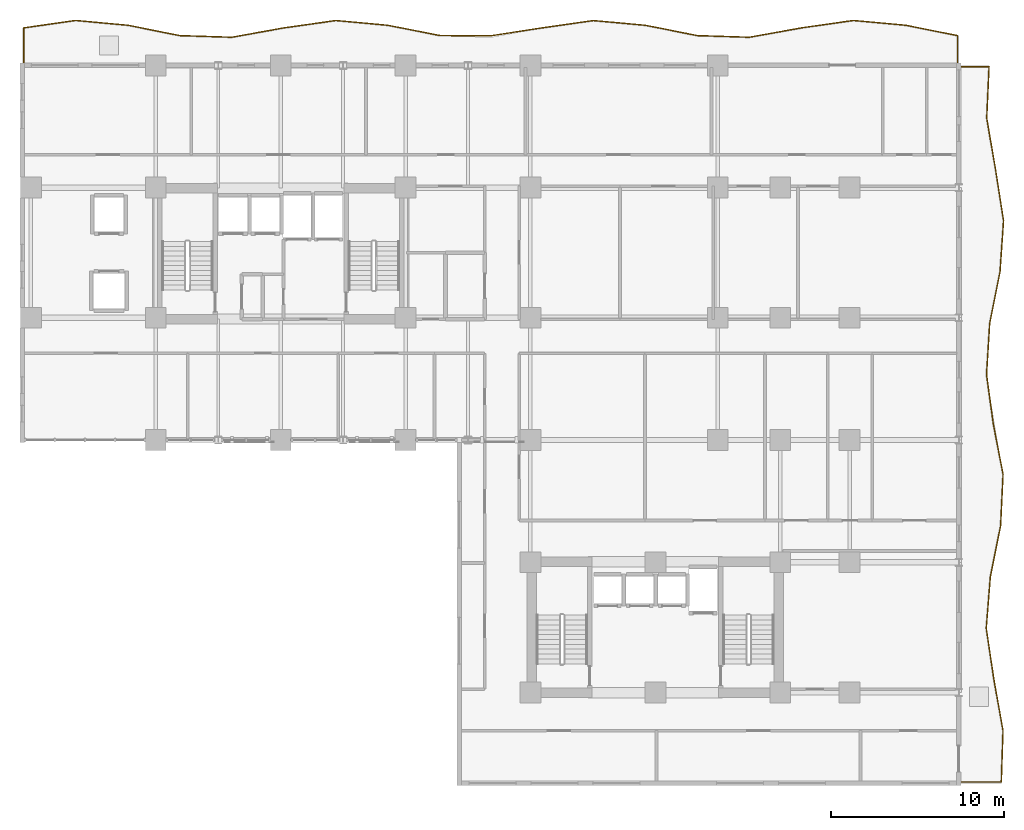
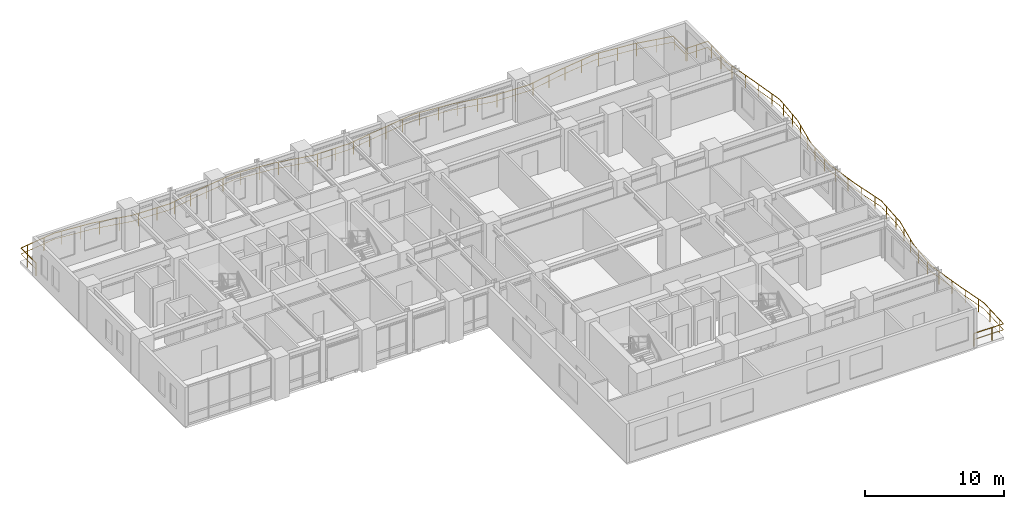
# One storey, part 16 of 16: 2 railings.
"""IFC4 building model written with IfcOpenShell, lengths in metres."""

import ifcopenshell
import ifcopenshell.guid

model = None  # the IFC model being written
_history = None  # IfcOwnerHistory: only IFC2X3 demands one
_inside = {}  # id of a spatial element -> (the spatial element, [elements in it])
_under = {}  # id of a project, library or spatial element -> (it, [spatial elements below it])
_declared = {}  # id of a project -> (the project, [libraries it declares])
_typed = {}  # id of a type object -> (the type object, [elements of that type])
_made_of = {}  # id of a material, layer set ... -> (it, [elements and type objects made of it])


def new_model(schema):
    """Start an empty IFC model of exactly this schema.

    Asked for "IFC4X3", IfcOpenShell would pick the latest addendum, in which some entities
    have other attributes; the version numbers below select the first issue.
    IFC2X3 requires an IfcOwnerHistory on every rooted entity: one is made here for all.
    """
    global model, _history
    if schema == "IFC4X3":
        model = ifcopenshell.file(schema_version=(4, 3, 0, 0))
    else:
        model = ifcopenshell.file(schema=schema)
    _inside.clear()
    _under.clear()
    _declared.clear()
    _typed.clear()
    _made_of.clear()
    _history = None
    if model.schema == "IFC2X3":
        org = make("IfcOrganization", Name="unknown")
        user = make(
            "IfcPersonAndOrganization",
            ThePerson=make("IfcPerson", FamilyName="unknown"),
            TheOrganization=org,
        )
        app = make(
            "IfcApplication",
            ApplicationDeveloper=org,
            Version="unknown",
            ApplicationFullName="unknown",
            ApplicationIdentifier="unknown",
        )
        _history = make(
            "IfcOwnerHistory",
            OwningUser=user,
            OwningApplication=app,
            ChangeAction="ADDED",
            CreationDate=0,
        )
    return model


def make(cls, **values):
    """One entity of the class cls with the attributes given. An attribute that is None is left unset."""
    return model.create_entity(
        cls, **{name: value for name, value in values.items() if value is not None}
    )


def rooted(cls, **values):
    """An entity with a GlobalId (a new one), such as an element, a storey or a relation."""
    return make(cls, GlobalId=ifcopenshell.guid.new(), OwnerHistory=_history, **values)


def si_unit(unit_type, name, prefix=None):
    """IfcSIUnit, for example si_unit("LENGTHUNIT", "METRE", prefix="MILLI")."""
    return make("IfcSIUnit", UnitType=unit_type, Prefix=prefix, Name=name)


def assignment(units):
    """IfcUnitAssignment: the units of a project."""
    return None if units is None else make("IfcUnitAssignment", Units=units)


def point(xyz):
    """IfcCartesianPoint."""
    return None if xyz is None else make("IfcCartesianPoint", Coordinates=xyz)


def direction(xyz):
    """IfcDirection."""
    return None if xyz is None else make("IfcDirection", DirectionRatios=xyz)


def frame(location, z_axis=None, x_axis=None):
    """IfcAxis2Placement3D, a coordinate frame: its origin and axes. An axis left out is left unset."""
    return make(
        "IfcAxis2Placement3D",
        Location=point(location),
        Axis=direction(z_axis),
        RefDirection=direction(x_axis),
    )


def frame_2d(location, x_axis=None):
    """IfcAxis2Placement2D, a coordinate frame in the plane: its origin and x axis."""
    return make(
        "IfcAxis2Placement2D", Location=point(location), RefDirection=direction(x_axis)
    )


def origin():
    """The frame at (0, 0, 0) with its axes left unset."""
    return frame((0.0, 0.0, 0.0))


def origin_2d():
    """The frame at (0, 0) in the plane with its x axis left unset."""
    return frame_2d((0.0, 0.0))


def place(relative_to, where):
    """IfcLocalPlacement: puts the frame where relative to a parent placement (None: the world)."""
    return make(
        "IfcLocalPlacement", PlacementRelTo=relative_to, RelativePlacement=where
    )


def context(
    kind, dimensions, precision=None, world=None, true_north=None, identifier=None
):
    """IfcGeometricRepresentationContext, for example the 3D "Model" context."""
    return make(
        "IfcGeometricRepresentationContext",
        ContextIdentifier=identifier,
        ContextType=kind,
        CoordinateSpaceDimension=dimensions,
        Precision=precision,
        WorldCoordinateSystem=world,
        TrueNorth=true_north,
    )


def subcontext(parent, identifier, kind, view, scale=None):
    """IfcGeometricRepresentationSubContext, for example "Body" below "Model"."""
    return make(
        "IfcGeometricRepresentationSubContext",
        ContextIdentifier=identifier,
        ContextType=kind,
        ParentContext=parent,
        TargetScale=scale,
        TargetView=view,
    )


def project(units=None, contexts=None):
    """IfcProject with its units and contexts."""
    return rooted(
        "IfcProject",
        Name="project",
        RepresentationContexts=contexts,
        UnitsInContext=assignment(units),
    )


def spatial(cls, under=None, at=None, **own):
    """A site, building, storey or space (cls), placed at a placement, below another one or the project."""
    s = rooted(cls, ObjectPlacement=at, **own)
    if under is not None:
        _under.setdefault(under.id(), (under, []))[1].append(s)
    return s


def profile(cls, at=None, kind="AREA", **sizes):
    """A parametric profile (cls). Its sizes go by their IFC names, for example OverallWidth=200.0."""
    return make(cls, ProfileType=kind, Position=at, **sizes)


def rectangle(**sizes):
    """IfcRectangleProfileDef."""
    return profile("IfcRectangleProfileDef", **sizes)


def extrude(swept, where, along, depth):
    """IfcExtrudedAreaSolid: the profile swept, set in the frame where, extruded along a direction by depth."""
    return make(
        "IfcExtrudedAreaSolid",
        SweptArea=swept,
        Position=where,
        ExtrudedDirection=direction(along),
        Depth=depth,
    )


def shape(context_of_items, identifier, shape_type, items):
    """IfcShapeRepresentation: the items that make up one representation, for example the "Body"."""
    return make(
        "IfcShapeRepresentation",
        ContextOfItems=context_of_items,
        RepresentationIdentifier=identifier,
        RepresentationType=shape_type,
        Items=items,
    )


def material(Name=None, Category=None):
    """IfcMaterial."""
    return make("IfcMaterial", Name=Name, Category=Category)


def made_of(thing, what):
    """Note that an element or type object is made of a material, layer set ...; save() writes the relation."""
    if what is not None:
        _made_of.setdefault(what.id(), (what, []))[1].append(thing)
    return thing


def type_object(cls, material=None, **own):
    """A type object (cls), such as IfcWallType, which elements share."""
    return made_of(rooted(cls, **own), material)


def element(
    cls,
    number,
    at=None,
    inside=None,
    cuts=None,
    type_object=None,
    material=None,
    context=None,
    identifier="Body",
    shape_type=None,
    held_by="IfcProductDefinitionShape",
    body=None,
    shapes=None,
    **own,
):
    """One element of the class cls, such as IfcWall. Its Tag is "e" and its number.

    at: its placement. inside: the storey or other place that contains it. cuts: it is an
    opening in that element (IfcRelVoidsElement). A single representation is given by context,
    identifier, shape_type and body (its items); several are given by shapes. held_by: the class
    of the entity that holds the representations. save() writes the other relations.
    """
    e = rooted(cls, Tag="e%d" % number, ObjectPlacement=at, **own)
    if body is not None:
        shapes = [shape(context, identifier, shape_type, body)]
    if shapes is not None:
        e.Representation = make(held_by, Representations=shapes)
    if inside is not None:
        _inside.setdefault(inside.id(), (inside, []))[1].append(e)
    if cuts is not None:
        rooted(
            "IfcRelVoidsElement", RelatingBuildingElement=cuts, RelatedOpeningElement=e
        )
    if type_object is not None:
        _typed.setdefault(type_object.id(), (type_object, []))[1].append(e)
    return made_of(e, material)


def aggregate(whole, parts):
    """IfcRelAggregates: a whole, such as a stair, and the parts it consists of."""
    return rooted("IfcRelAggregates", RelatingObject=whole, RelatedObjects=parts)


def save(model, path):
    """Write the relations noted so far, then the file.

    IfcRelAggregates (storeys below a building ...), IfcRelContainedInSpatialStructure (elements
    in a storey), IfcRelDefinesByType, IfcRelAssociatesMaterial and IfcRelDeclares: one each for
    every whole, place, type object, material and project.
    """
    for whole, parts in _under.values():
        aggregate(whole, parts)
    for where, things in _inside.values():
        rooted(
            "IfcRelContainedInSpatialStructure",
            RelatedElements=things,
            RelatingStructure=where,
        )
    for kind, things in _typed.values():
        rooted("IfcRelDefinesByType", RelatedObjects=things, RelatingType=kind)
    for what, things in _made_of.values():
        rooted("IfcRelAssociatesMaterial", RelatedObjects=things, RelatingMaterial=what)
    for by, libraries in _declared.values():
        rooted("IfcRelDeclares", RelatingContext=by, RelatedDefinitions=libraries)
    model.write(path)


model = new_model("IFC4")

# Units and contexts
model_context = context("Model", 3, precision=1e-05, world=origin(), true_north=direction((0.0, 1.0)))
body_context = subcontext(model_context, "Body", "Model", "MODEL_VIEW")
ifc_project = project(units=[si_unit("LENGTHUNIT", "METRE"), si_unit("AREAUNIT", "SQUARE_METRE"), si_unit("VOLUMEUNIT", "CUBIC_METRE"), si_unit("PLANEANGLEUNIT", "RADIAN"), si_unit("MASSUNIT", "GRAM", prefix="KILO")], contexts=[model_context])

# Site, building, storey
site_placement = place(None, origin())
site = spatial("IfcSite", under=ifc_project, at=site_placement, CompositionType="ELEMENT")
building_placement = place(site_placement, origin())
building = spatial("IfcBuilding", under=site, at=building_placement, Name="Kaliganga Portal Commons", CompositionType="ELEMENT")
storey_placement = place(building_placement, frame((0.0, 0.0, 82.300048828125)))
storey = spatial("IfcBuildingStorey", under=building, at=storey_placement, Name="L20", CompositionType="ELEMENT", Elevation=82.300048828125)

# Railings
ifc_material = material(Name="Laminated Safety Glass and Stainless Steel 316", Category="steel")
railing_type = type_object("IfcRailingType", Name="RLG-BAL-1150", PredefinedType="BALUSTRADE", material=ifc_material)
railing_1_placement = place(storey_placement, frame((60.6201171875, 43.20556640625, 0.0)))
element("IfcRailing", 1, at=railing_1_placement, inside=storey, type_object=railing_type, Name="Balcony Guardrail L20 balc_north", PredefinedType="BALUSTRADE", context=body_context, shape_type="SweptSolid", body=[
    extrude(rectangle(XDim=0.048095703125, YDim=0.048095703125, at=origin_2d()), frame((0.0, 0.0, 1.1259765625), z_axis=(0.0, 1.0, 0.0), x_axis=(-1.0, 0.0, 0.0)), (0.0, 0.0, 1.0), 1.71142578125),
    extrude(rectangle(XDim=0.028076171875, YDim=0.028076171875, at=origin_2d()), frame((0.0, 0.0, 0.597900390625), z_axis=(0.0, 1.0, 0.0), x_axis=(-1.0, 0.0, 0.0)), (0.0, 0.0, 1.0), 1.71142578125),
    extrude(rectangle(XDim=0.048095703125, YDim=0.048095703125, at=origin_2d()), frame((0.0, 1.71142578125, 1.1259765625), z_axis=(-0.980635885947, 0.19583988152, 0.0), x_axis=(-0.19583988152, -0.980635885947, 0.0)), (0.0, 0.0, 1.0), 3.059326171875),
    extrude(rectangle(XDim=0.028076171875, YDim=0.028076171875, at=origin_2d()), frame((0.0, 1.71142578125, 0.597900390625), z_axis=(-0.980635885947, 0.19583988152, 0.0), x_axis=(-0.19583988152, -0.980635885947, 0.0)), (0.0, 0.0, 1.0), 3.059326171875),
    extrude(rectangle(XDim=0.048095703125, YDim=0.048095703125, at=origin_2d()), frame((-3.0, 2.310546875, 1.1259765625), z_axis=(-0.995827850775, 0.091251803383, 0.0), x_axis=(-0.091251803383, -0.995827850775, 0.0)), (0.0, 0.0, 1.0), 3.012451171875),
    extrude(rectangle(XDim=0.028076171875, YDim=0.028076171875, at=origin_2d()), frame((-3.0, 2.310546875, 0.597900390625), z_axis=(-0.995827850775, 0.091251803383, 0.0), x_axis=(-0.091251803383, -0.995827850775, 0.0)), (0.0, 0.0, 1.0), 3.012451171875),
    extrude(rectangle(XDim=0.048095703125, YDim=0.048095703125, at=origin_2d()), frame((-6.0, 2.58544921875, 1.1259765625), z_axis=(-0.989943047691, -0.141466470682, 0.0), x_axis=(0.141466470682, -0.989943047691, 0.0)), (0.0, 0.0, 1.0), 3.030517578125),
    extrude(rectangle(XDim=0.028076171875, YDim=0.028076171875, at=origin_2d()), frame((-6.0, 2.58544921875, 0.597900390625), z_axis=(-0.989943047691, -0.141466470682, 0.0), x_axis=(0.141466470682, -0.989943047691, 0.0)), (0.0, 0.0, 1.0), 3.030517578125),
    extrude(rectangle(XDim=0.048095703125, YDim=0.048095703125, at=origin_2d()), frame((-9.0, 2.15673828125, 1.1259765625), z_axis=(-0.984195051972, -0.177087830396, 0.0), x_axis=(0.177087830396, -0.984195051972, 0.0)), (0.0, 0.0, 1.0), 3.048095703125),
    extrude(rectangle(XDim=0.028076171875, YDim=0.028076171875, at=origin_2d()), frame((-9.0, 2.15673828125, 0.597900390625), z_axis=(-0.984195051972, -0.177087830396, 0.0), x_axis=(0.177087830396, -0.984195051972, 0.0)), (0.0, 0.0, 1.0), 3.048095703125),
    extrude(rectangle(XDim=0.048095703125, YDim=0.048095703125, at=origin_2d()), frame((-12.0, 1.616943359375, 1.1259765625), z_axis=(-0.999499296615, 0.031641050324, 0.0), x_axis=(-0.031641050324, -0.999499296615, 0.0)), (0.0, 0.0, 1.0), 3.00146484375),
    extrude(rectangle(XDim=0.028076171875, YDim=0.028076171875, at=origin_2d()), frame((-12.0, 1.616943359375, 0.597900390625), z_axis=(-0.999499296615, 0.031641050324, 0.0), x_axis=(-0.031641050324, -0.999499296615, 0.0)), (0.0, 0.0, 1.0), 3.00146484375),
    extrude(rectangle(XDim=0.048095703125, YDim=0.048095703125, at=origin_2d()), frame((-15.0, 1.7119140625, 1.1259765625), z_axis=(-0.980819402607, 0.194918699639, 0.0), x_axis=(-0.194918699639, -0.980819402607, 0.0)), (0.0, 0.0, 1.0), 3.05859375),
    extrude(rectangle(XDim=0.028076171875, YDim=0.028076171875, at=origin_2d()), frame((-15.0, 1.7119140625, 0.597900390625), z_axis=(-0.980819402607, 0.194918699639, 0.0), x_axis=(-0.194918699639, -0.980819402607, 0.0)), (0.0, 0.0, 1.0), 3.05859375),
    extrude(rectangle(XDim=0.048095703125, YDim=0.048095703125, at=origin_2d()), frame((-18.0, 2.30810546875, 1.1259765625), z_axis=(-0.995950811306, 0.089899841261, 0.0), x_axis=(-0.089899841261, -0.995950811306, 0.0)), (0.0, 0.0, 1.0), 3.01171875),
    extrude(rectangle(XDim=0.028076171875, YDim=0.028076171875, at=origin_2d()), frame((-18.0, 2.30810546875, 0.597900390625), z_axis=(-0.995950811306, 0.089899841261, 0.0), x_axis=(-0.089899841261, -0.995950811306, 0.0)), (0.0, 0.0, 1.0), 3.01171875),
    extrude(rectangle(XDim=0.048095703125, YDim=0.048095703125, at=origin_2d()), frame((-20.99951171875, 2.578857421875, 1.1259765625), z_axis=(-0.989978473762, -0.141218346855, 0.0), x_axis=(0.141218346855, -0.989978473762, 0.0)), (0.0, 0.0, 1.0), 3.030517578125),
    extrude(rectangle(XDim=0.028076171875, YDim=0.028076171875, at=origin_2d()), frame((-20.99951171875, 2.578857421875, 0.597900390625), z_axis=(-0.989978473762, -0.141218346855, 0.0), x_axis=(0.141218346855, -0.989978473762, 0.0)), (0.0, 0.0, 1.0), 3.030517578125),
    extrude(rectangle(XDim=0.048095703125, YDim=0.048095703125, at=origin_2d()), frame((-23.999755859375, 2.15087890625, 1.1259765625), z_axis=(-0.98806316163, -0.154049305839, 0.0), x_axis=(0.154049305839, -0.98806316163, 0.0)), (0.0, 0.0, 1.0), 2.955810546875),
    extrude(rectangle(XDim=0.028076171875, YDim=0.028076171875, at=origin_2d()), frame((-23.999755859375, 2.15087890625, 0.597900390625), z_axis=(-0.98806316163, -0.154049305839, 0.0), x_axis=(0.154049305839, -0.98806316163, 0.0)), (0.0, 0.0, 1.0), 2.955810546875),
    extrude(rectangle(XDim=0.048095703125, YDim=0.048095703125, at=origin_2d()), frame((-26.920166015625, 1.695556640625, 1.1259765625), z_axis=(-0.999975924488, 0.006939052064, 0.0), x_axis=(-0.006939052064, -0.999975924488, 0.0)), (0.0, 0.0, 1.0), 2.920166015625),
    extrude(rectangle(XDim=0.028076171875, YDim=0.028076171875, at=origin_2d()), frame((-26.920166015625, 1.695556640625, 0.597900390625), z_axis=(-0.999975924488, 0.006939052064, 0.0), x_axis=(-0.006939052064, -0.999975924488, 0.0)), (0.0, 0.0, 1.0), 2.920166015625),
    extrude(rectangle(XDim=0.048095703125, YDim=0.048095703125, at=origin_2d()), frame((-29.84033203125, 1.7158203125, 1.1259765625), z_axis=(-0.981168913159, 0.193151660232, 0.0), x_axis=(-0.193151660232, -0.981168913159, 0.0)), (0.0, 0.0, 1.0), 3.0576171875),
    extrude(rectangle(XDim=0.028076171875, YDim=0.028076171875, at=origin_2d()), frame((-29.84033203125, 1.7158203125, 0.597900390625), z_axis=(-0.981168913159, 0.193151660232, 0.0), x_axis=(-0.193151660232, -0.981168913159, 0.0)), (0.0, 0.0, 1.0), 3.0576171875),
    extrude(rectangle(XDim=0.048095703125, YDim=0.048095703125, at=origin_2d()), frame((-32.84033203125, 2.306396484375, 1.1259765625), z_axis=(-0.995805729318, 0.091492892936, 0.0), x_axis=(-0.091492892936, -0.995805729318, 0.0)), (0.0, 0.0, 1.0), 3.0126953125),
    extrude(rectangle(XDim=0.028076171875, YDim=0.028076171875, at=origin_2d()), frame((-32.84033203125, 2.306396484375, 0.597900390625), z_axis=(-0.995805729318, 0.091492892936, 0.0), x_axis=(-0.091492892936, -0.995805729318, 0.0)), (0.0, 0.0, 1.0), 3.0126953125),
    extrude(rectangle(XDim=0.048095703125, YDim=0.048095703125, at=origin_2d()), frame((-35.84033203125, 2.58203125, 1.1259765625), z_axis=(-0.990065193162, -0.140609079683, 0.0), x_axis=(0.140609079683, -0.990065193162, 0.0)), (0.0, 0.0, 1.0), 3.02978515625),
    extrude(rectangle(XDim=0.028076171875, YDim=0.028076171875, at=origin_2d()), frame((-35.84033203125, 2.58203125, 0.597900390625), z_axis=(-0.990065193162, -0.140609079683, 0.0), x_axis=(0.140609079683, -0.990065193162, 0.0)), (0.0, 0.0, 1.0), 3.02978515625),
    extrude(rectangle(XDim=0.048095703125, YDim=0.048095703125, at=origin_2d()), frame((-38.840087890625, 2.156005859375, 1.1259765625), z_axis=(-0.98423690473, -0.176855068819, 0.0), x_axis=(0.176855068819, -0.98423690473, 0.0)), (0.0, 0.0, 1.0), 3.048095703125),
    extrude(rectangle(XDim=0.028076171875, YDim=0.028076171875, at=origin_2d()), frame((-38.840087890625, 2.156005859375, 0.597900390625), z_axis=(-0.98423690473, -0.176855068819, 0.0), x_axis=(0.176855068819, -0.98423690473, 0.0)), (0.0, 0.0, 1.0), 3.048095703125),
    extrude(rectangle(XDim=0.048095703125, YDim=0.048095703125, at=origin_2d()), frame((-41.840087890625, 1.616943359375, 1.1259765625), z_axis=(-0.999504428184, 0.031478533017, 0.0), x_axis=(-0.031478533017, -0.999504428184, 0.0)), (0.0, 0.0, 1.0), 3.00146484375),
    extrude(rectangle(XDim=0.028076171875, YDim=0.028076171875, at=origin_2d()), frame((-41.840087890625, 1.616943359375, 0.597900390625), z_axis=(-0.999504428184, 0.031478533017, 0.0), x_axis=(-0.031478533017, -0.999504428184, 0.0)), (0.0, 0.0, 1.0), 3.00146484375),
    extrude(rectangle(XDim=0.048095703125, YDim=0.048095703125, at=origin_2d()), frame((-44.840087890625, 1.71142578125, 1.1259765625), z_axis=(-0.980651209419, 0.195763136125, 0.0), x_axis=(-0.195763136125, -0.980651209419, 0.0)), (0.0, 0.0, 1.0), 3.05908203125),
    extrude(rectangle(XDim=0.028076171875, YDim=0.028076171875, at=origin_2d()), frame((-44.840087890625, 1.71142578125, 0.597900390625), z_axis=(-0.980651209419, 0.195763136125, 0.0), x_axis=(-0.195763136125, -0.980651209419, 0.0)), (0.0, 0.0, 1.0), 3.05908203125),
    extrude(rectangle(XDim=0.048095703125, YDim=0.048095703125, at=origin_2d()), frame((-47.840087890625, 2.310302734375, 1.1259765625), z_axis=(-0.995813109513, 0.091412531537, 0.0), x_axis=(-0.091412531537, -0.995813109513, 0.0)), (0.0, 0.0, 1.0), 3.0126953125),
    extrude(rectangle(XDim=0.028076171875, YDim=0.028076171875, at=origin_2d()), frame((-47.840087890625, 2.310302734375, 0.597900390625), z_axis=(-0.995813109513, 0.091412531537, 0.0), x_axis=(-0.091412531537, -0.995813109513, 0.0)), (0.0, 0.0, 1.0), 3.0126953125),
    extrude(rectangle(XDim=0.048095703125, YDim=0.048095703125, at=origin_2d()), frame((-50.840087890625, 2.585693359375, 1.1259765625), z_axis=(-0.989943047691, -0.141466470682, 0.0), x_axis=(0.141466470682, -0.989943047691, 0.0)), (0.0, 0.0, 1.0), 3.030517578125),
    extrude(rectangle(XDim=0.028076171875, YDim=0.028076171875, at=origin_2d()), frame((-50.840087890625, 2.585693359375, 0.597900390625), z_axis=(-0.989943047691, -0.141466470682, 0.0), x_axis=(0.141466470682, -0.989943047691, 0.0)), (0.0, 0.0, 1.0), 3.030517578125),
    extrude(rectangle(XDim=0.048095703125, YDim=0.048095703125, at=origin_2d()), frame((-53.840087890625, 2.156982421875, 1.1259765625), z_axis=(-0.000113186191, -0.999999993594, 0.0), x_axis=(0.999999993594, -0.000113186191, 0.0)), (0.0, 0.0, 1.0), 2.156982421875),
    extrude(rectangle(XDim=0.028076171875, YDim=0.028076171875, at=origin_2d()), frame((-53.840087890625, 2.156982421875, 0.597900390625), z_axis=(-0.000113186191, -0.999999993594, 0.0), x_axis=(0.999999993594, -0.000113186191, 0.0)), (0.0, 0.0, 1.0), 2.156982421875),
    extrude(rectangle(XDim=0.0419921875, YDim=0.0419921875, at=origin_2d()), origin(), (0.0, 0.0, 1.0), 1.101806640625),
    extrude(rectangle(XDim=0.0419921875, YDim=0.0419921875, at=origin_2d()), frame((0.0, 1.5, 0.0)), (0.0, 0.0, 1.0), 1.101806640625),
    extrude(rectangle(XDim=0.0419921875, YDim=0.0419921875, at=origin_2d()), frame((-1.263671875, 1.9638671875, 0.0)), (0.0, 0.0, 1.0), 1.101806640625),
    extrude(rectangle(XDim=0.0419921875, YDim=0.0419921875, at=origin_2d()), frame((-2.734619140625, 2.257568359375, 0.0)), (0.0, 0.0, 1.0), 1.101806640625),
    extrude(rectangle(XDim=0.0419921875, YDim=0.0419921875, at=origin_2d()), frame((-4.22412109375, 2.422607421875, 0.0)), (0.0, 0.0, 1.0), 1.101806640625),
    extrude(rectangle(XDim=0.0419921875, YDim=0.0419921875, at=origin_2d()), frame((-5.718017578125, 2.5595703125, 0.0)), (0.0, 0.0, 1.0), 1.101806640625),
    extrude(rectangle(XDim=0.0419921875, YDim=0.0419921875, at=origin_2d()), frame((-7.20458984375, 2.413330078125, 0.0)), (0.0, 0.0, 1.0), 1.101806640625),
    extrude(rectangle(XDim=0.0419921875, YDim=0.0419921875, at=origin_2d()), frame((-8.689453125, 2.201171875, 0.0)), (0.0, 0.0, 1.0), 1.101806640625),
    extrude(rectangle(XDim=0.0419921875, YDim=0.0419921875, at=origin_2d()), frame((-10.16748046875, 1.94677734375, 0.0)), (0.0, 0.0, 1.0), 1.101806640625),
    extrude(rectangle(XDim=0.0419921875, YDim=0.0419921875, at=origin_2d()), frame((-11.643798828125, 1.680908203125, 0.0)), (0.0, 0.0, 1.0), 1.101806640625),
    extrude(rectangle(XDim=0.0419921875, YDim=0.0419921875, at=origin_2d()), frame((-13.137451171875, 1.653076171875, 0.0)), (0.0, 0.0, 1.0), 1.101806640625),
    extrude(rectangle(XDim=0.0419921875, YDim=0.0419921875, at=origin_2d()), frame((-14.63671875, 1.700439453125, 0.0)), (0.0, 0.0, 1.0), 1.101806640625),
    extrude(rectangle(XDim=0.0419921875, YDim=0.0419921875, at=origin_2d()), frame((-16.11474609375, 1.933349609375, 0.0)), (0.0, 0.0, 1.0), 1.101806640625),
    extrude(rectangle(XDim=0.0419921875, YDim=0.0419921875, at=origin_2d()), frame((-17.5859375, 2.225830078125, 0.0)), (0.0, 0.0, 1.0), 1.101806640625),
    extrude(rectangle(XDim=0.0419921875, YDim=0.0419921875, at=origin_2d()), frame((-19.073486328125, 2.405029296875, 0.0)), (0.0, 0.0, 1.0), 1.101806640625),
    extrude(rectangle(XDim=0.0419921875, YDim=0.0419921875, at=origin_2d()), frame((-20.5673828125, 2.539794921875, 0.0)), (0.0, 0.0, 1.0), 1.101806640625),
    extrude(rectangle(XDim=0.0419921875, YDim=0.0419921875, at=origin_2d()), frame((-22.05517578125, 2.42822265625, 0.0)), (0.0, 0.0, 1.0), 1.101806640625),
    extrude(rectangle(XDim=0.0419921875, YDim=0.0419921875, at=origin_2d()), frame((-23.5400390625, 2.216552734375, 0.0)), (0.0, 0.0, 1.0), 1.101806640625),
    extrude(rectangle(XDim=0.0419921875, YDim=0.0419921875, at=origin_2d()), frame((-25.02294921875, 1.991455078125, 0.0)), (0.0, 0.0, 1.0), 1.101806640625),
    extrude(rectangle(XDim=0.0419921875, YDim=0.0419921875, at=origin_2d()), frame((-26.505126953125, 1.76025390625, 0.0)), (0.0, 0.0, 1.0), 1.101806640625),
    extrude(rectangle(XDim=0.0419921875, YDim=0.0419921875, at=origin_2d()), frame((-28.0, 1.703125, 0.0)), (0.0, 0.0, 1.0), 1.101806640625),
    extrude(rectangle(XDim=0.0419921875, YDim=0.0419921875, at=origin_2d()), frame((-29.5, 1.71337890625, 0.0)), (0.0, 0.0, 1.0), 1.101806640625),
    extrude(rectangle(XDim=0.0419921875, YDim=0.0419921875, at=origin_2d()), frame((-30.978271484375, 1.939697265625, 0.0)), (0.0, 0.0, 1.0), 1.101806640625),
    extrude(rectangle(XDim=0.0419921875, YDim=0.0419921875, at=origin_2d()), frame((-32.449951171875, 2.2294921875, 0.0)), (0.0, 0.0, 1.0), 1.101806640625),
    extrude(rectangle(XDim=0.0419921875, YDim=0.0419921875, at=origin_2d()), frame((-33.937744140625, 2.4072265625, 0.0)), (0.0, 0.0, 1.0), 1.101806640625),
    extrude(rectangle(XDim=0.0419921875, YDim=0.0419921875, at=origin_2d()), frame((-35.431640625, 2.54443359375, 0.0)), (0.0, 0.0, 1.0), 1.101806640625),
    extrude(rectangle(XDim=0.0419921875, YDim=0.0419921875, at=origin_2d()), frame((-36.9189453125, 2.428955078125, 0.0)), (0.0, 0.0, 1.0), 1.101806640625),
    extrude(rectangle(XDim=0.0419921875, YDim=0.0419921875, at=origin_2d()), frame((-38.404052734375, 2.218017578125, 0.0)), (0.0, 0.0, 1.0), 1.101806640625),
    extrude(rectangle(XDim=0.0419921875, YDim=0.0419921875, at=origin_2d()), frame((-39.883056640625, 1.968505859375, 0.0)), (0.0, 0.0, 1.0), 1.101806640625),
    extrude(rectangle(XDim=0.0419921875, YDim=0.0419921875, at=origin_2d()), frame((-41.359375, 1.703369140625, 0.0)), (0.0, 0.0, 1.0), 1.101806640625),
    extrude(rectangle(XDim=0.0419921875, YDim=0.0419921875, at=origin_2d()), frame((-42.85107421875, 1.648681640625, 0.0)), (0.0, 0.0, 1.0), 1.101806640625),
    extrude(rectangle(XDim=0.0419921875, YDim=0.0419921875, at=origin_2d()), frame((-44.350341796875, 1.696044921875, 0.0)), (0.0, 0.0, 1.0), 1.101806640625),
    extrude(rectangle(XDim=0.0419921875, YDim=0.0419921875, at=origin_2d()), frame((-45.83056640625, 1.9091796875, 0.0)), (0.0, 0.0, 1.0), 1.101806640625),
    extrude(rectangle(XDim=0.0419921875, YDim=0.0419921875, at=origin_2d()), frame((-47.301513671875, 2.202880859375, 0.0)), (0.0, 0.0, 1.0), 1.101806640625),
    extrude(rectangle(XDim=0.0419921875, YDim=0.0419921875, at=origin_2d()), frame((-48.787109375, 2.397216796875, 0.0)), (0.0, 0.0, 1.0), 1.101806640625),
    extrude(rectangle(XDim=0.0419921875, YDim=0.0419921875, at=origin_2d()), frame((-50.28076171875, 2.534423828125, 0.0)), (0.0, 0.0, 1.0), 1.101806640625),
    extrude(rectangle(XDim=0.0419921875, YDim=0.0419921875, at=origin_2d()), frame((-51.76904296875, 2.452880859375, 0.0)), (0.0, 0.0, 1.0), 1.101806640625),
    extrude(rectangle(XDim=0.0419921875, YDim=0.0419921875, at=origin_2d()), frame((-53.25390625, 2.24072265625, 0.0)), (0.0, 0.0, 1.0), 1.101806640625),
    extrude(rectangle(XDim=0.0419921875, YDim=0.0419921875, at=origin_2d()), frame((-53.840087890625, 1.249267578125, 0.0)), (0.0, 0.0, 1.0), 1.101806640625),
    extrude(rectangle(XDim=0.0419921875, YDim=0.0419921875, at=origin_2d()), frame((-53.84033203125, 0.0, 0.0)), (0.0, 0.0, 1.0), 1.101806640625),
])
railing_2_placement = place(storey_placement, frame((60.70703125, 1.879638671875, 0.0)))
element("IfcRailing", 2, at=railing_2_placement, inside=storey, type_object=railing_type, Name="Balcony Guardrail L20 balc_east", PredefinedType="BALUSTRADE", context=body_context, shape_type="SweptSolid", body=[
    extrude(rectangle(XDim=0.048095703125, YDim=0.048095703125, at=origin_2d()), frame((0.0, 0.0, 1.1259765625), z_axis=(0.99999999499, 0.0001001001, 0.0), x_axis=(-0.0001001001, 0.99999999499, 0.0)), (0.0, 0.0, 1.0), 2.43896484375),
    extrude(rectangle(XDim=0.028076171875, YDim=0.028076171875, at=origin_2d()), frame((0.0, 0.0, 0.597900390625), z_axis=(0.99999999499, 0.0001001001, 0.0), x_axis=(-0.0001001001, 0.99999999499, 0.0)), (0.0, 0.0, 1.0), 2.43896484375),
    extrude(rectangle(XDim=0.048095703125, YDim=0.048095703125, at=origin_2d()), frame((2.43896484375, 0.000244140625, 1.1259765625), z_axis=(0.033254384805, 0.999446919997, 0.0), x_axis=(-0.999446919997, 0.033254384805, 0.0)), (0.0, 0.0, 1.0), 2.958740234375),
    extrude(rectangle(XDim=0.028076171875, YDim=0.028076171875, at=origin_2d()), frame((2.43896484375, 0.000244140625, 0.597900390625), z_axis=(0.033254384805, 0.999446919997, 0.0), x_axis=(-0.999446919997, 0.033254384805, 0.0)), (0.0, 0.0, 1.0), 2.958740234375),
    extrude(rectangle(XDim=0.048095703125, YDim=0.048095703125, at=origin_2d()), frame((2.537353515625, 2.957275390625, 1.1259765625), z_axis=(-0.175000066988, 0.984568421469, 0.0), x_axis=(-0.984568421469, -0.175000066988, 0.0)), (0.0, 0.0, 1.0), 3.003662109375),
    extrude(rectangle(XDim=0.028076171875, YDim=0.028076171875, at=origin_2d()), frame((2.537353515625, 2.957275390625, 0.597900390625), z_axis=(-0.175000066988, 0.984568421469, 0.0), x_axis=(-0.984568421469, -0.175000066988, 0.0)), (0.0, 0.0, 1.0), 3.003662109375),
    extrude(rectangle(XDim=0.048095703125, YDim=0.048095703125, at=origin_2d()), frame((2.01171875, 5.91455078125, 1.1259765625), z_axis=(-0.147386086183, 0.989079037084, 0.0), x_axis=(-0.989079037084, -0.147386086183, 0.0)), (0.0, 0.0, 1.0), 2.989990234375),
    extrude(rectangle(XDim=0.028076171875, YDim=0.028076171875, at=origin_2d()), frame((2.01171875, 5.91455078125, 0.597900390625), z_axis=(-0.147386086183, 0.989079037084, 0.0), x_axis=(-0.989079037084, -0.147386086183, 0.0)), (0.0, 0.0, 1.0), 2.989990234375),
    extrude(rectangle(XDim=0.048095703125, YDim=0.048095703125, at=origin_2d()), frame((1.571044921875, 8.871826171875, 1.1259765625), z_axis=(0.079912042866, 0.996801918841, 0.0), x_axis=(-0.996801918841, 0.079912042866, 0.0)), (0.0, 0.0, 1.0), 2.966552734375),
    extrude(rectangle(XDim=0.028076171875, YDim=0.028076171875, at=origin_2d()), frame((1.571044921875, 8.871826171875, 0.597900390625), z_axis=(0.079912042866, 0.996801918841, 0.0), x_axis=(-0.996801918841, 0.079912042866, 0.0)), (0.0, 0.0, 1.0), 2.966552734375),
    extrude(rectangle(XDim=0.048095703125, YDim=0.048095703125, at=origin_2d()), frame((1.80810546875, 11.828857421875, 1.1259765625), z_axis=(0.196022710023, 0.980599356086, 0.0), x_axis=(-0.980599356086, 0.196022710023, 0.0)), (0.0, 0.0, 1.0), 3.015380859375),
    extrude(rectangle(XDim=0.028076171875, YDim=0.028076171875, at=origin_2d()), frame((1.80810546875, 11.828857421875, 0.597900390625), z_axis=(0.196022710023, 0.980599356086, 0.0), x_axis=(-0.980599356086, 0.196022710023, 0.0)), (0.0, 0.0, 1.0), 3.015380859375),
    extrude(rectangle(XDim=0.048095703125, YDim=0.048095703125, at=origin_2d()), frame((2.399169921875, 14.78564453125, 1.1259765625), z_axis=(0.047612195142, 0.998865896341, 0.0), x_axis=(-0.998865896341, 0.047612195142, 0.0)), (0.0, 0.0, 1.0), 2.958740234375),
    extrude(rectangle(XDim=0.028076171875, YDim=0.028076171875, at=origin_2d()), frame((2.399169921875, 14.78564453125, 0.597900390625), z_axis=(0.047612195142, 0.998865896341, 0.0), x_axis=(-0.998865896341, 0.047612195142, 0.0)), (0.0, 0.0, 1.0), 2.958740234375),
    extrude(rectangle(XDim=0.048095703125, YDim=0.048095703125, at=origin_2d()), frame((2.5400390625, 17.740966796875, 1.1259765625), z_axis=(-0.19124832873, 0.981541683658, 0.0), x_axis=(-0.981541683658, -0.19124832873, 0.0)), (0.0, 0.0, 1.0), 2.93359375),
    extrude(rectangle(XDim=0.028076171875, YDim=0.028076171875, at=origin_2d()), frame((2.5400390625, 17.740966796875, 0.597900390625), z_axis=(-0.19124832873, 0.981541683658, 0.0), x_axis=(-0.981541683658, -0.19124832873, 0.0)), (0.0, 0.0, 1.0), 2.93359375),
    extrude(rectangle(XDim=0.048095703125, YDim=0.048095703125, at=origin_2d()), frame((1.97900390625, 20.620361328125, 1.1259765625), z_axis=(-0.134768039304, 0.990877174821, 0.0), x_axis=(-0.990877174821, -0.134768039304, 0.0)), (0.0, 0.0, 1.0), 2.904052734375),
    extrude(rectangle(XDim=0.028076171875, YDim=0.028076171875, at=origin_2d()), frame((1.97900390625, 20.620361328125, 0.597900390625), z_axis=(-0.134768039304, 0.990877174821, 0.0), x_axis=(-0.990877174821, -0.134768039304, 0.0)), (0.0, 0.0, 1.0), 2.904052734375),
    extrude(rectangle(XDim=0.048095703125, YDim=0.048095703125, at=origin_2d()), frame((1.587646484375, 23.497802734375, 1.1259765625), z_axis=(0.061562473318, 0.998103232075, 0.0), x_axis=(-0.998103232075, 0.061562473318, 0.0)), (0.0, 0.0, 1.0), 2.96240234375),
    extrude(rectangle(XDim=0.028076171875, YDim=0.028076171875, at=origin_2d()), frame((1.587646484375, 23.497802734375, 0.597900390625), z_axis=(0.061562473318, 0.998103232075, 0.0), x_axis=(-0.998103232075, 0.061562473318, 0.0)), (0.0, 0.0, 1.0), 2.96240234375),
    extrude(rectangle(XDim=0.048095703125, YDim=0.048095703125, at=origin_2d()), frame((1.77001953125, 26.45458984375, 1.1259765625), z_axis=(0.1973144182, 0.980340257447, 0.0), x_axis=(-0.980340257447, 0.1973144182, 0.0)), (0.0, 0.0, 1.0), 3.0166015625),
    extrude(rectangle(XDim=0.028076171875, YDim=0.028076171875, at=origin_2d()), frame((1.77001953125, 26.45458984375, 0.597900390625), z_axis=(0.1973144182, 0.980340257447, 0.0), x_axis=(-0.980340257447, 0.1973144182, 0.0)), (0.0, 0.0, 1.0), 3.0166015625),
    extrude(rectangle(XDim=0.048095703125, YDim=0.048095703125, at=origin_2d()), frame((2.365234375, 29.411865234375, 1.1259765625), z_axis=(0.068607054583, 0.997643760097, 0.0), x_axis=(-0.997643760097, 0.068607054583, 0.0)), (0.0, 0.0, 1.0), 2.96435546875),
    extrude(rectangle(XDim=0.028076171875, YDim=0.028076171875, at=origin_2d()), frame((2.365234375, 29.411865234375, 0.597900390625), z_axis=(0.068607054583, 0.997643760097, 0.0), x_axis=(-0.997643760097, 0.068607054583, 0.0)), (0.0, 0.0, 1.0), 2.96435546875),
    extrude(rectangle(XDim=0.048095703125, YDim=0.048095703125, at=origin_2d()), frame((2.568603515625, 32.369140625, 1.1259765625), z_axis=(-0.15521281786, 0.987881056186, 0.0), x_axis=(-0.987881056186, -0.15521281786, 0.0)), (0.0, 0.0, 1.0), 2.993408203125),
    extrude(rectangle(XDim=0.028076171875, YDim=0.028076171875, at=origin_2d()), frame((2.568603515625, 32.369140625, 0.597900390625), z_axis=(-0.15521281786, 0.987881056186, 0.0), x_axis=(-0.987881056186, -0.15521281786, 0.0)), (0.0, 0.0, 1.0), 2.993408203125),
    extrude(rectangle(XDim=0.048095703125, YDim=0.048095703125, at=origin_2d()), frame((2.10400390625, 35.326171875, 1.1259765625), z_axis=(-0.168778597436, 0.985653988501, 0.0), x_axis=(-0.985653988501, -0.168778597436, 0.0)), (0.0, 0.0, 1.0), 3.0),
    extrude(rectangle(XDim=0.028076171875, YDim=0.028076171875, at=origin_2d()), frame((2.10400390625, 35.326171875, 0.597900390625), z_axis=(-0.168778597436, 0.985653988501, 0.0), x_axis=(-0.985653988501, -0.168778597436, 0.0)), (0.0, 0.0, 1.0), 3.0),
    extrude(rectangle(XDim=0.048095703125, YDim=0.048095703125, at=origin_2d()), frame((1.59765625, 38.283203125, 1.1259765625), z_axis=(0.04585281951, 0.998948206337, 0.0), x_axis=(-0.998948206337, 0.04585281951, 0.0)), (0.0, 0.0, 1.0), 2.96044921875),
    extrude(rectangle(XDim=0.028076171875, YDim=0.028076171875, at=origin_2d()), frame((1.59765625, 38.283203125, 0.597900390625), z_axis=(0.04585281951, 0.998948206337, 0.0), x_axis=(-0.998948206337, 0.04585281951, 0.0)), (0.0, 0.0, 1.0), 2.96044921875),
    extrude(rectangle(XDim=0.048095703125, YDim=0.048095703125, at=origin_2d()), frame((1.7333984375, 41.240478515625, 1.1259765625), z_axis=(-0.999999990081, 0.000140845069, 0.0), x_axis=(-0.000140845069, -0.999999990081, 0.0)), (0.0, 0.0, 1.0), 1.7333984375),
    extrude(rectangle(XDim=0.028076171875, YDim=0.028076171875, at=origin_2d()), frame((1.7333984375, 41.240478515625, 0.597900390625), z_axis=(-0.999999990081, 0.000140845069, 0.0), x_axis=(-0.000140845069, -0.999999990081, 0.0)), (0.0, 0.0, 1.0), 1.7333984375),
    extrude(rectangle(XDim=0.0419921875, YDim=0.0419921875, at=origin_2d()), origin(), (0.0, 0.0, 1.0), 1.101806640625),
    extrude(rectangle(XDim=0.0419921875, YDim=0.0419921875, at=origin_2d()), frame((1.5, 0.000244140625, 0.0)), (0.0, 0.0, 1.0), 1.101806640625),
    extrude(rectangle(XDim=0.0419921875, YDim=0.0419921875, at=origin_2d()), frame((2.45751953125, 0.56103515625, 0.0)), (0.0, 0.0, 1.0), 1.101806640625),
    extrude(rectangle(XDim=0.0419921875, YDim=0.0419921875, at=origin_2d()), frame((2.507568359375, 2.06005859375, 0.0)), (0.0, 0.0, 1.0), 1.101806640625),
    extrude(rectangle(XDim=0.0419921875, YDim=0.0419921875, at=origin_2d()), frame((2.431884765625, 3.55029296875, 0.0)), (0.0, 0.0, 1.0), 1.101806640625),
    extrude(rectangle(XDim=0.0419921875, YDim=0.0419921875, at=origin_2d()), frame((2.16943359375, 5.027099609375, 0.0)), (0.0, 0.0, 1.0), 1.101806640625),
    extrude(rectangle(XDim=0.0419921875, YDim=0.0419921875, at=origin_2d()), frame((1.923583984375, 6.5068359375, 0.0)), (0.0, 0.0, 1.0), 1.101806640625),
    extrude(rectangle(XDim=0.0419921875, YDim=0.0419921875, at=origin_2d()), frame((1.702392578125, 7.990478515625, 0.0)), (0.0, 0.0, 1.0), 1.101806640625),
    extrude(rectangle(XDim=0.0419921875, YDim=0.0419921875, at=origin_2d()), frame((1.61962890625, 9.478759765625, 0.0)), (0.0, 0.0, 1.0), 1.101806640625),
    extrude(rectangle(XDim=0.0419921875, YDim=0.0419921875, at=origin_2d()), frame((1.739501953125, 10.973876953125, 0.0)), (0.0, 0.0, 1.0), 1.101806640625),
    extrude(rectangle(XDim=0.0419921875, YDim=0.0419921875, at=origin_2d()), frame((1.93408203125, 12.458740234375, 0.0)), (0.0, 0.0, 1.0), 1.101806640625),
    extrude(rectangle(XDim=0.0419921875, YDim=0.0419921875, at=origin_2d()), frame((2.22802734375, 13.9296875, 0.0)), (0.0, 0.0, 1.0), 1.101806640625),
    extrude(rectangle(XDim=0.0419921875, YDim=0.0419921875, at=origin_2d()), frame((2.428955078125, 15.411865234375, 0.0)), (0.0, 0.0, 1.0), 1.101806640625),
    extrude(rectangle(XDim=0.0419921875, YDim=0.0419921875, at=origin_2d()), frame((2.50048828125, 16.91015625, 0.0)), (0.0, 0.0, 1.0), 1.101806640625),
    extrude(rectangle(XDim=0.0419921875, YDim=0.0419921875, at=origin_2d()), frame((2.412109375, 18.39697265625, 0.0)), (0.0, 0.0, 1.0), 1.101806640625),
    extrude(rectangle(XDim=0.0419921875, YDim=0.0419921875, at=origin_2d()), frame((2.125244140625, 19.869384765625, 0.0)), (0.0, 0.0, 1.0), 1.101806640625),
    extrude(rectangle(XDim=0.0419921875, YDim=0.0419921875, at=origin_2d()), frame((1.8798828125, 21.348388671875, 0.0)), (0.0, 0.0, 1.0), 1.101806640625),
    extrude(rectangle(XDim=0.0419921875, YDim=0.0419921875, at=origin_2d()), frame((1.677734375, 22.834716796875, 0.0)), (0.0, 0.0, 1.0), 1.101806640625),
    extrude(rectangle(XDim=0.0419921875, YDim=0.0419921875, at=origin_2d()), frame((1.638916015625, 24.3271484375, 0.0)), (0.0, 0.0, 1.0), 1.101806640625),
    extrude(rectangle(XDim=0.0419921875, YDim=0.0419921875, at=origin_2d()), frame((1.731201171875, 25.82421875, 0.0)), (0.0, 0.0, 1.0), 1.101806640625),
    extrude(rectangle(XDim=0.0419921875, YDim=0.0419921875, at=origin_2d()), frame((1.94140625, 27.305908203125, 0.0)), (0.0, 0.0, 1.0), 1.101806640625),
    extrude(rectangle(XDim=0.0419921875, YDim=0.0419921875, at=origin_2d()), frame((2.2373046875, 28.7763671875, 0.0)), (0.0, 0.0, 1.0), 1.101806640625),
    extrude(rectangle(XDim=0.0419921875, YDim=0.0419921875, at=origin_2d()), frame((2.423583984375, 30.26171875, 0.0)), (0.0, 0.0, 1.0), 1.101806640625),
    extrude(rectangle(XDim=0.0419921875, YDim=0.0419921875, at=origin_2d()), frame((2.526611328125, 31.75830078125, 0.0)), (0.0, 0.0, 1.0), 1.101806640625),
    extrude(rectangle(XDim=0.0419921875, YDim=0.0419921875, at=origin_2d()), frame((2.430908203125, 33.24609375, 0.0)), (0.0, 0.0, 1.0), 1.101806640625),
    extrude(rectangle(XDim=0.0419921875, YDim=0.0419921875, at=origin_2d()), frame((2.197998046875, 34.727783203125, 0.0)), (0.0, 0.0, 1.0), 1.101806640625),
    extrude(rectangle(XDim=0.0419921875, YDim=0.0419921875, at=origin_2d()), frame((1.953125, 36.207763671875, 0.0)), (0.0, 0.0, 1.0), 1.101806640625),
    extrude(rectangle(XDim=0.0419921875, YDim=0.0419921875, at=origin_2d()), frame((1.699951171875, 37.68603515625, 0.0)), (0.0, 0.0, 1.0), 1.101806640625),
    extrude(rectangle(XDim=0.0419921875, YDim=0.0419921875, at=origin_2d()), frame((1.638671875, 39.176513671875, 0.0)), (0.0, 0.0, 1.0), 1.101806640625),
    extrude(rectangle(XDim=0.0419921875, YDim=0.0419921875, at=origin_2d()), frame((1.70751953125, 40.6748046875, 0.0)), (0.0, 0.0, 1.0), 1.101806640625),
    extrude(rectangle(XDim=0.0419921875, YDim=0.0419921875, at=origin_2d()), frame((0.799560546875, 41.24072265625, 0.0)), (0.0, 0.0, 1.0), 1.101806640625),
    extrude(rectangle(XDim=0.0419921875, YDim=0.0419921875, at=origin_2d()), frame((0.0, 41.24072265625, 0.0)), (0.0, 0.0, 1.0), 1.101806640625),
])

save(model, "model.ifc")
